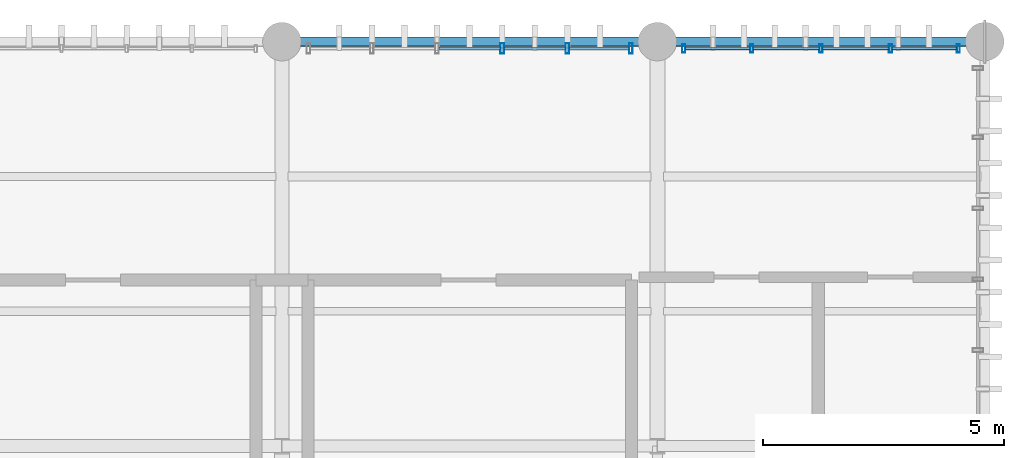
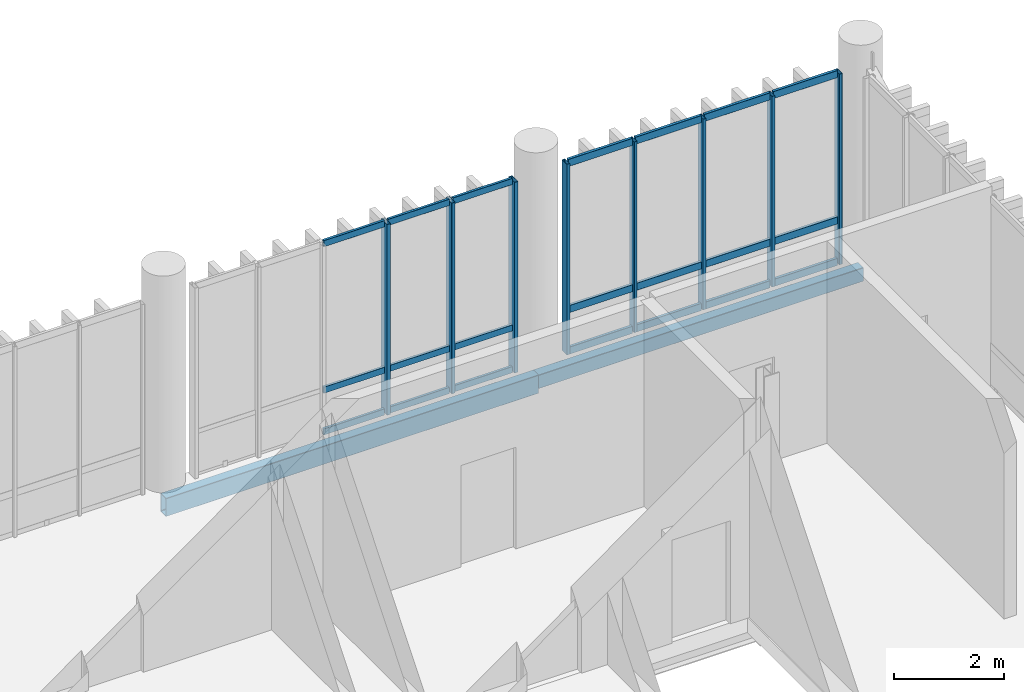
# One storey, part 65 of 94: 29 members, 2 beams, 2 elements without a shape of their own.
"""IFC4 building model written with IfcOpenShell, lengths in metres."""

from ifc_helpers import new_model, si_unit, direction, frame, origin_with_axes, origin_2d_with_axis, place, context, subcontext, project, spatial, hollow_rectangle, extrude, material, material_profile, profile_set, type_object, element, aggregate, save


model = new_model("IFC4")

# Units and contexts
model_context = context("Model", 3, precision=1e-05, world=origin_with_axes(), true_north=direction((0.0, 1.0)))
body_context = subcontext(model_context, "Body", "Model", "MODEL_VIEW")
ifc_project = project(units=[si_unit("LENGTHUNIT", "METRE"), si_unit("AREAUNIT", "SQUARE_METRE"), si_unit("VOLUMEUNIT", "CUBIC_METRE"), si_unit("PLANEANGLEUNIT", "RADIAN"), si_unit("MASSUNIT", "GRAM", prefix="KILO"), si_unit("THERMODYNAMICTEMPERATUREUNIT", "KELVIN")], contexts=[model_context])

# Site, building, storey
site_placement = place(None, origin_with_axes())
site = spatial("IfcSite", under=ifc_project, at=site_placement, CompositionType="ELEMENT")
building_placement = place(site_placement, origin_with_axes())
building = spatial("IfcBuilding", under=site, at=building_placement, Name="Montbau Bow Law Courts", CompositionType="ELEMENT")
storey_placement = place(building_placement, frame((0.0, 0.0, 15.6), z_axis=(0.0, 0.0, 1.0), x_axis=(1.0, 0.0, 0.0)))
storey = spatial("IfcBuildingStorey", under=building, at=storey_placement, Name="L03", CompositionType="ELEMENT", Elevation=15.6)

# Beams
ifc_material_1 = material(Name="Steel CSA G40.21 Grade 350WT (350 MPa)", Category="steel")
ifc_material_profile_1 = material_profile(ifc_material_1, hollow_rectangle(XDim=0.203, YDim=0.406, WallThickness=0.0127, InnerFilletRadius=0.0254, OuterFilletRadius=0.0127, at=origin_2d_with_axis()), Name="HSS406X203X13", Category="Main", Priority=0)
ifc_profile_set_1 = profile_set([ifc_material_profile_1], Name="Steel CSA G40.21 Grade 350WT (350 MPa)")
beam_type_1 = type_object("IfcBeamType", Name="B-SPN-01", PredefinedType="SPANDREL", material=ifc_profile_set_1)
beam_1_placement = place(None, frame((154.8, 103.2, 15.057), z_axis=(1.0, 0.0, 0.0), x_axis=(0.0, 1.0, 0.0)))
element("IfcBeam", 1, at=beam_1_placement, inside=storey, type_object=beam_type_1, Name="SPN-L03-S1223:bm2_1226", PredefinedType="SPANDREL", context=body_context, shape_type="SweptSolid", body=[
    extrude(hollow_rectangle(XDim=0.203, YDim=0.406, WallThickness=0.0127, InnerFilletRadius=0.0254, OuterFilletRadius=0.0127, at=origin_2d_with_axis()), origin_with_axes(), (0.0, 0.0, 1.0), 7.8),
])
ifc_material_profile_2 = material_profile(ifc_material_1, hollow_rectangle(XDim=0.203, YDim=0.305, WallThickness=0.0127, InnerFilletRadius=0.0254, OuterFilletRadius=0.0127, at=origin_2d_with_axis()), Name="HSS305X203X13", Category="Main", Priority=0)
ifc_profile_set_2 = profile_set([ifc_material_profile_2], Name="Steel CSA G40.21 Grade 350WT (350 MPa)")
beam_type_2 = type_object("IfcBeamType", Name="B-SPN-02", PredefinedType="SPANDREL", material=ifc_profile_set_2)
beam_2_placement = place(None, frame((162.6, 103.2, 15.107), z_axis=(1.0, 0.0, 0.0), x_axis=(0.0, 1.0, 0.0)))
element("IfcBeam", 2, at=beam_2_placement, inside=storey, type_object=beam_type_2, Name="SPN-L03-S1224:bm2_1227", PredefinedType="SPANDREL", context=body_context, shape_type="SweptSolid", body=[
    extrude(hollow_rectangle(XDim=0.203, YDim=0.305, WallThickness=0.0127, InnerFilletRadius=0.0254, OuterFilletRadius=0.0127, at=origin_2d_with_axis()), origin_with_axes(), (0.0, 0.0, 1.0), 6.8),
])

# Curtain wall, members
ifc_material_2 = material(Name="Thermally Broken Extruded Aluminium AA 6063-T6", Category="aluminium")
curtain_wall_type = type_object("IfcCurtainWallType", Name="CW-SLT-01", PredefinedType="NOTDEFINED", material=ifc_material_2)
curtain_wall_1_placement = place(None, frame((155.315, 103.06, 15.6), z_axis=(0.0, 0.0, 1.0), x_axis=(1.0, 0.0, 0.0)))
curtain_wall_1 = element("IfcCurtainWall", 3, at=curtain_wall_1_placement, inside=storey, type_object=curtain_wall_type, Name="CW-L03-315:cw_0315", PredefinedType="NOTDEFINED")
ifc_material_profile_3 = material_profile(ifc_material_2, hollow_rectangle(XDim=0.075, YDim=0.22, WallThickness=0.005, InnerFilletRadius=0.01, OuterFilletRadius=0.005, at=origin_2d_with_axis()), Name="CWM-220X75", Category="Main", Priority=0)
ifc_profile_set_3 = profile_set([ifc_material_profile_3], Name="Thermally Broken Extruded Aluminium AA 6063-T6")
member_type_1 = type_object("IfcMemberType", Name="M-MUL-01", PredefinedType="MULLION", material=ifc_profile_set_3)
member_1_placement = place(None, frame((159.377, 103.06, 15.6), z_axis=(0.0, 0.0, 1.0), x_axis=(1.0, 0.0, 0.0)))
member_1 = element("IfcMember", 4, at=member_1_placement, type_object=member_type_1, Name="CW-L03-315-M04:cw_0315_M04", PredefinedType="MULLION", context=body_context, shape_type="SweptSolid", body=[
    extrude(hollow_rectangle(XDim=0.075, YDim=0.22, WallThickness=0.005, InnerFilletRadius=0.01, OuterFilletRadius=0.005, at=origin_2d_with_axis()), origin_with_axes(), (0.0, 0.0, 1.0), 4.22),
])
member_2_placement = place(None, frame((160.731, 103.06, 15.6), z_axis=(0.0, 0.0, 1.0), x_axis=(1.0, 0.0, 0.0)))
member_2 = element("IfcMember", 5, at=member_2_placement, type_object=member_type_1, Name="CW-L03-315-M05:cw_0315_M05", PredefinedType="MULLION", context=body_context, shape_type="SweptSolid", body=[
    extrude(hollow_rectangle(XDim=0.075, YDim=0.22, WallThickness=0.005, InnerFilletRadius=0.01, OuterFilletRadius=0.005, at=origin_2d_with_axis()), origin_with_axes(), (0.0, 0.0, 1.0), 4.22),
])
member_3_placement = place(None, frame((162.048, 103.06, 15.6), z_axis=(0.0, 0.0, 1.0), x_axis=(1.0, 0.0, 0.0)))
member_3 = element("IfcMember", 6, at=member_3_placement, type_object=member_type_1, Name="CW-L03-315-M06:cw_0315_M06", PredefinedType="MULLION", context=body_context, shape_type="SweptSolid", body=[
    extrude(hollow_rectangle(XDim=0.075, YDim=0.22, WallThickness=0.005, InnerFilletRadius=0.01, OuterFilletRadius=0.005, at=origin_2d_with_axis()), origin_with_axes(), (0.0, 0.0, 1.0), 4.22),
])

curtain_wall_2_placement = place(None, frame((163.115, 103.06, 15.6), z_axis=(0.0, 0.0, 1.0), x_axis=(1.0, 0.0, 0.0)))
curtain_wall_2 = element("IfcCurtainWall", 7, at=curtain_wall_2_placement, inside=storey, type_object=curtain_wall_type, Name="CW-L03-316:cw_0316", PredefinedType="NOTDEFINED")
ifc_material_profile_4 = material_profile(ifc_material_2, hollow_rectangle(XDim=0.065, YDim=0.18, WallThickness=0.005, InnerFilletRadius=0.01, OuterFilletRadius=0.005, at=origin_2d_with_axis()), Name="CWM-180X65", Category="Main", Priority=0)
ifc_profile_set_4 = profile_set([ifc_material_profile_4], Name="Thermally Broken Extruded Aluminium AA 6063-T6")
member_type_2 = type_object("IfcMemberType", Name="M-MUL-02", PredefinedType="MULLION", material=ifc_profile_set_4)
member_4_placement = place(None, frame((163.148, 103.06, 15.6), z_axis=(0.0, 0.0, 1.0), x_axis=(1.0, 0.0, 0.0)))
member_4 = element("IfcMember", 8, at=member_4_placement, type_object=member_type_2, Name="CW-L03-316-M01:cw_0316_M01", PredefinedType="MULLION", context=body_context, shape_type="SweptSolid", body=[
    extrude(hollow_rectangle(XDim=0.065, YDim=0.18, WallThickness=0.005, InnerFilletRadius=0.01, OuterFilletRadius=0.005, at=origin_2d_with_axis()), origin_with_axes(), (0.0, 0.0, 1.0), 4.22),
])
member_5_placement = place(None, frame((164.557, 103.06, 15.6), z_axis=(0.0, 0.0, 1.0), x_axis=(1.0, 0.0, 0.0)))
member_5 = element("IfcMember", 9, at=member_5_placement, type_object=member_type_2, Name="CW-L03-316-M02:cw_0316_M02", PredefinedType="MULLION", context=body_context, shape_type="SweptSolid", body=[
    extrude(hollow_rectangle(XDim=0.065, YDim=0.18, WallThickness=0.005, InnerFilletRadius=0.01, OuterFilletRadius=0.005, at=origin_2d_with_axis()), origin_with_axes(), (0.0, 0.0, 1.0), 4.22),
])
member_6_placement = place(None, frame((166.0, 103.06, 15.6), z_axis=(0.0, 0.0, 1.0), x_axis=(1.0, 0.0, 0.0)))
member_6 = element("IfcMember", 10, at=member_6_placement, type_object=member_type_2, Name="CW-L03-316-M03:cw_0316_M03", PredefinedType="MULLION", context=body_context, shape_type="SweptSolid", body=[
    extrude(hollow_rectangle(XDim=0.065, YDim=0.18, WallThickness=0.005, InnerFilletRadius=0.01, OuterFilletRadius=0.005, at=origin_2d_with_axis()), origin_with_axes(), (0.0, 0.0, 1.0), 4.22),
])
member_7_placement = place(None, frame((167.442, 103.06, 15.6), z_axis=(0.0, 0.0, 1.0), x_axis=(1.0, 0.0, 0.0)))
member_7 = element("IfcMember", 11, at=member_7_placement, type_object=member_type_2, Name="CW-L03-316-M04:cw_0316_M04", PredefinedType="MULLION", context=body_context, shape_type="SweptSolid", body=[
    extrude(hollow_rectangle(XDim=0.065, YDim=0.18, WallThickness=0.005, InnerFilletRadius=0.01, OuterFilletRadius=0.005, at=origin_2d_with_axis()), origin_with_axes(), (0.0, 0.0, 1.0), 4.22),
])
member_8_placement = place(None, frame((168.852, 103.06, 15.6), z_axis=(0.0, 0.0, 1.0), x_axis=(1.0, 0.0, 0.0)))
member_8 = element("IfcMember", 12, at=member_8_placement, type_object=member_type_2, Name="CW-L03-316-M05:cw_0316_M05", PredefinedType="MULLION", context=body_context, shape_type="SweptSolid", body=[
    extrude(hollow_rectangle(XDim=0.065, YDim=0.18, WallThickness=0.005, InnerFilletRadius=0.01, OuterFilletRadius=0.005, at=origin_2d_with_axis()), origin_with_axes(), (0.0, 0.0, 1.0), 4.22),
])
ifc_material_profile_5 = material_profile(ifc_material_2, hollow_rectangle(XDim=0.06, YDim=0.16, WallThickness=0.004, InnerFilletRadius=0.008, OuterFilletRadius=0.004, at=origin_2d_with_axis()), Name="CWT-160X60", Category="Main", Priority=0)
ifc_profile_set_5 = profile_set([ifc_material_profile_5], Name="Thermally Broken Extruded Aluminium AA 6063-T6")
member_type_3 = type_object("IfcMemberType", Name="M-TRN-01", PredefinedType="USERDEFINED", material=ifc_profile_set_5)
member_9_placement = place(None, frame((163.183, 103.06, 15.63), z_axis=(1.0, 0.0, 0.0), x_axis=(0.0, 1.0, 0.0)))
member_9 = element("IfcMember", 13, at=member_9_placement, type_object=member_type_3, Name="CW-L03-316-T01-1:cw_0316_T01_1", ObjectType="TRANSOM", PredefinedType="USERDEFINED", context=body_context, shape_type="SweptSolid", body=[
    extrude(hollow_rectangle(XDim=0.06, YDim=0.16, WallThickness=0.004, InnerFilletRadius=0.008, OuterFilletRadius=0.004, at=origin_2d_with_axis()), origin_with_axes(), (0.0, 0.0, 1.0), 1.339),
])
member_10_placement = place(None, frame((163.183, 103.06, 16.55), z_axis=(1.0, 0.0, 0.0), x_axis=(0.0, 1.0, 0.0)))
member_10 = element("IfcMember", 14, at=member_10_placement, type_object=member_type_3, Name="CW-L03-316-T01-2:cw_0316_T01_2", ObjectType="TRANSOM", PredefinedType="USERDEFINED", context=body_context, shape_type="SweptSolid", body=[
    extrude(hollow_rectangle(XDim=0.06, YDim=0.16, WallThickness=0.004, InnerFilletRadius=0.008, OuterFilletRadius=0.004, at=origin_2d_with_axis()), origin_with_axes(), (0.0, 0.0, 1.0), 1.339),
])
member_11_placement = place(None, frame((163.183, 103.06, 19.79), z_axis=(1.0, 0.0, 0.0), x_axis=(0.0, 1.0, 0.0)))
member_11 = element("IfcMember", 15, at=member_11_placement, type_object=member_type_3, Name="CW-L03-316-T01-3:cw_0316_T01_3", ObjectType="TRANSOM", PredefinedType="USERDEFINED", context=body_context, shape_type="SweptSolid", body=[
    extrude(hollow_rectangle(XDim=0.06, YDim=0.16, WallThickness=0.004, InnerFilletRadius=0.008, OuterFilletRadius=0.004, at=origin_2d_with_axis()), origin_with_axes(), (0.0, 0.0, 1.0), 1.339),
])
member_12_placement = place(None, frame((164.591, 103.06, 15.63), z_axis=(1.0, 0.0, 0.0), x_axis=(0.0, 1.0, 0.0)))
member_12 = element("IfcMember", 16, at=member_12_placement, type_object=member_type_3, Name="CW-L03-316-T02-1:cw_0316_T02_1", ObjectType="TRANSOM", PredefinedType="USERDEFINED", context=body_context, shape_type="SweptSolid", body=[
    extrude(hollow_rectangle(XDim=0.06, YDim=0.16, WallThickness=0.004, InnerFilletRadius=0.008, OuterFilletRadius=0.004, at=origin_2d_with_axis()), origin_with_axes(), (0.0, 0.0, 1.0), 1.374),
])
member_13_placement = place(None, frame((164.591, 103.06, 16.55), z_axis=(1.0, 0.0, 0.0), x_axis=(0.0, 1.0, 0.0)))
member_13 = element("IfcMember", 17, at=member_13_placement, type_object=member_type_3, Name="CW-L03-316-T02-2:cw_0316_T02_2", ObjectType="TRANSOM", PredefinedType="USERDEFINED", context=body_context, shape_type="SweptSolid", body=[
    extrude(hollow_rectangle(XDim=0.06, YDim=0.16, WallThickness=0.004, InnerFilletRadius=0.008, OuterFilletRadius=0.004, at=origin_2d_with_axis()), origin_with_axes(), (0.0, 0.0, 1.0), 1.374),
])
member_14_placement = place(None, frame((164.591, 103.06, 19.79), z_axis=(1.0, 0.0, 0.0), x_axis=(0.0, 1.0, 0.0)))
member_14 = element("IfcMember", 18, at=member_14_placement, type_object=member_type_3, Name="CW-L03-316-T02-3:cw_0316_T02_3", ObjectType="TRANSOM", PredefinedType="USERDEFINED", context=body_context, shape_type="SweptSolid", body=[
    extrude(hollow_rectangle(XDim=0.06, YDim=0.16, WallThickness=0.004, InnerFilletRadius=0.008, OuterFilletRadius=0.004, at=origin_2d_with_axis()), origin_with_axes(), (0.0, 0.0, 1.0), 1.374),
])
member_15_placement = place(None, frame((166.034, 103.06, 15.63), z_axis=(1.0, 0.0, 0.0), x_axis=(0.0, 1.0, 0.0)))
member_15 = element("IfcMember", 19, at=member_15_placement, type_object=member_type_3, Name="CW-L03-316-T03-1:cw_0316_T03_1", ObjectType="TRANSOM", PredefinedType="USERDEFINED", context=body_context, shape_type="SweptSolid", body=[
    extrude(hollow_rectangle(XDim=0.06, YDim=0.16, WallThickness=0.004, InnerFilletRadius=0.008, OuterFilletRadius=0.004, at=origin_2d_with_axis()), origin_with_axes(), (0.0, 0.0, 1.0), 1.374),
])
member_16_placement = place(None, frame((166.034, 103.06, 16.55), z_axis=(1.0, 0.0, 0.0), x_axis=(0.0, 1.0, 0.0)))
member_16 = element("IfcMember", 20, at=member_16_placement, type_object=member_type_3, Name="CW-L03-316-T03-2:cw_0316_T03_2", ObjectType="TRANSOM", PredefinedType="USERDEFINED", context=body_context, shape_type="SweptSolid", body=[
    extrude(hollow_rectangle(XDim=0.06, YDim=0.16, WallThickness=0.004, InnerFilletRadius=0.008, OuterFilletRadius=0.004, at=origin_2d_with_axis()), origin_with_axes(), (0.0, 0.0, 1.0), 1.374),
])
member_17_placement = place(None, frame((166.034, 103.06, 19.79), z_axis=(1.0, 0.0, 0.0), x_axis=(0.0, 1.0, 0.0)))
member_17 = element("IfcMember", 21, at=member_17_placement, type_object=member_type_3, Name="CW-L03-316-T03-3:cw_0316_T03_3", ObjectType="TRANSOM", PredefinedType="USERDEFINED", context=body_context, shape_type="SweptSolid", body=[
    extrude(hollow_rectangle(XDim=0.06, YDim=0.16, WallThickness=0.004, InnerFilletRadius=0.008, OuterFilletRadius=0.004, at=origin_2d_with_axis()), origin_with_axes(), (0.0, 0.0, 1.0), 1.374),
])
member_18_placement = place(None, frame((167.476, 103.06, 15.63), z_axis=(1.0, 0.0, 0.0), x_axis=(0.0, 1.0, 0.0)))
member_18 = element("IfcMember", 22, at=member_18_placement, type_object=member_type_3, Name="CW-L03-316-T04-1:cw_0316_T04_1", ObjectType="TRANSOM", PredefinedType="USERDEFINED", context=body_context, shape_type="SweptSolid", body=[
    extrude(hollow_rectangle(XDim=0.06, YDim=0.16, WallThickness=0.004, InnerFilletRadius=0.008, OuterFilletRadius=0.004, at=origin_2d_with_axis()), origin_with_axes(), (0.0, 0.0, 1.0), 1.342),
])
member_19_placement = place(None, frame((167.476, 103.06, 16.55), z_axis=(1.0, 0.0, 0.0), x_axis=(0.0, 1.0, 0.0)))
member_19 = element("IfcMember", 23, at=member_19_placement, type_object=member_type_3, Name="CW-L03-316-T04-2:cw_0316_T04_2", ObjectType="TRANSOM", PredefinedType="USERDEFINED", context=body_context, shape_type="SweptSolid", body=[
    extrude(hollow_rectangle(XDim=0.06, YDim=0.16, WallThickness=0.004, InnerFilletRadius=0.008, OuterFilletRadius=0.004, at=origin_2d_with_axis()), origin_with_axes(), (0.0, 0.0, 1.0), 1.342),
])
member_20_placement = place(None, frame((167.476, 103.06, 19.79), z_axis=(1.0, 0.0, 0.0), x_axis=(0.0, 1.0, 0.0)))
member_20 = element("IfcMember", 24, at=member_20_placement, type_object=member_type_3, Name="CW-L03-316-T04-3:cw_0316_T04_3", ObjectType="TRANSOM", PredefinedType="USERDEFINED", context=body_context, shape_type="SweptSolid", body=[
    extrude(hollow_rectangle(XDim=0.06, YDim=0.16, WallThickness=0.004, InnerFilletRadius=0.008, OuterFilletRadius=0.004, at=origin_2d_with_axis()), origin_with_axes(), (0.0, 0.0, 1.0), 1.342),
])
aggregate(curtain_wall_2, [member_4, member_5, member_6, member_7, member_8, member_9, member_10, member_11, member_12, member_13, member_14, member_15, member_16, member_17, member_18, member_19, member_20])

# Member
ifc_material_profile_6 = material_profile(ifc_material_2, hollow_rectangle(XDim=0.055, YDim=0.14, WallThickness=0.004, InnerFilletRadius=0.008, OuterFilletRadius=0.004, at=origin_2d_with_axis()), Name="CWT-140X55", Category="Main", Priority=0)
ifc_profile_set_6 = profile_set([ifc_material_profile_6], Name="Thermally Broken Extruded Aluminium AA 6063-T6")
member_type_4 = type_object("IfcMemberType", Name="M-TRN-02", PredefinedType="USERDEFINED", material=ifc_profile_set_6)
member_21_placement = place(None, frame((158.063, 103.06, 15.627), z_axis=(1.0, 0.0, 0.0), x_axis=(0.0, 1.0, 0.0)))
member_21 = element("IfcMember", 25, at=member_21_placement, type_object=member_type_4, Name="CW-L03-315-T03-1:cw_0315_T03_1", ObjectType="TRANSOM", PredefinedType="USERDEFINED", context=body_context, shape_type="SweptSolid", body=[
    extrude(hollow_rectangle(XDim=0.055, YDim=0.14, WallThickness=0.004, InnerFilletRadius=0.008, OuterFilletRadius=0.004, at=origin_2d_with_axis()), origin_with_axes(), (0.0, 0.0, 1.0), 1.275),
])

member_22_placement = place(None, frame((158.063, 103.06, 16.55), z_axis=(1.0, 0.0, 0.0), x_axis=(0.0, 1.0, 0.0)))
member_22 = element("IfcMember", 26, at=member_22_placement, type_object=member_type_4, Name="CW-L03-315-T03-2:cw_0315_T03_2", ObjectType="TRANSOM", PredefinedType="USERDEFINED", context=body_context, shape_type="SweptSolid", body=[
    extrude(hollow_rectangle(XDim=0.055, YDim=0.14, WallThickness=0.004, InnerFilletRadius=0.008, OuterFilletRadius=0.004, at=origin_2d_with_axis()), origin_with_axes(), (0.0, 0.0, 1.0), 1.275),
])

member_23_placement = place(None, frame((158.063, 103.06, 19.793), z_axis=(1.0, 0.0, 0.0), x_axis=(0.0, 1.0, 0.0)))
member_23 = element("IfcMember", 27, at=member_23_placement, type_object=member_type_4, Name="CW-L03-315-T03-3:cw_0315_T03_3", ObjectType="TRANSOM", PredefinedType="USERDEFINED", context=body_context, shape_type="SweptSolid", body=[
    extrude(hollow_rectangle(XDim=0.055, YDim=0.14, WallThickness=0.004, InnerFilletRadius=0.008, OuterFilletRadius=0.004, at=origin_2d_with_axis()), origin_with_axes(), (0.0, 0.0, 1.0), 1.275),
])

member_24_placement = place(None, frame((159.416, 103.06, 15.627), z_axis=(1.0, 0.0, 0.0), x_axis=(0.0, 1.0, 0.0)))
member_24 = element("IfcMember", 28, at=member_24_placement, type_object=member_type_4, Name="CW-L03-315-T04-1:cw_0315_T04_1", ObjectType="TRANSOM", PredefinedType="USERDEFINED", context=body_context, shape_type="SweptSolid", body=[
    extrude(hollow_rectangle(XDim=0.055, YDim=0.14, WallThickness=0.004, InnerFilletRadius=0.008, OuterFilletRadius=0.004, at=origin_2d_with_axis()), origin_with_axes(), (0.0, 0.0, 1.0), 1.276),
])

member_25_placement = place(None, frame((159.416, 103.06, 16.55), z_axis=(1.0, 0.0, 0.0), x_axis=(0.0, 1.0, 0.0)))
member_25 = element("IfcMember", 29, at=member_25_placement, type_object=member_type_4, Name="CW-L03-315-T04-2:cw_0315_T04_2", ObjectType="TRANSOM", PredefinedType="USERDEFINED", context=body_context, shape_type="SweptSolid", body=[
    extrude(hollow_rectangle(XDim=0.055, YDim=0.14, WallThickness=0.004, InnerFilletRadius=0.008, OuterFilletRadius=0.004, at=origin_2d_with_axis()), origin_with_axes(), (0.0, 0.0, 1.0), 1.276),
])

member_26_placement = place(None, frame((159.416, 103.06, 19.793), z_axis=(1.0, 0.0, 0.0), x_axis=(0.0, 1.0, 0.0)))
member_26 = element("IfcMember", 30, at=member_26_placement, type_object=member_type_4, Name="CW-L03-315-T04-3:cw_0315_T04_3", ObjectType="TRANSOM", PredefinedType="USERDEFINED", context=body_context, shape_type="SweptSolid", body=[
    extrude(hollow_rectangle(XDim=0.055, YDim=0.14, WallThickness=0.004, InnerFilletRadius=0.008, OuterFilletRadius=0.004, at=origin_2d_with_axis()), origin_with_axes(), (0.0, 0.0, 1.0), 1.276),
])

member_27_placement = place(None, frame((160.77, 103.06, 15.627), z_axis=(1.0, 0.0, 0.0), x_axis=(0.0, 1.0, 0.0)))
member_27 = element("IfcMember", 31, at=member_27_placement, type_object=member_type_4, Name="CW-L03-315-T05-1:cw_0315_T05_1", ObjectType="TRANSOM", PredefinedType="USERDEFINED", context=body_context, shape_type="SweptSolid", body=[
    extrude(hollow_rectangle(XDim=0.055, YDim=0.14, WallThickness=0.004, InnerFilletRadius=0.008, OuterFilletRadius=0.004, at=origin_2d_with_axis()), origin_with_axes(), (0.0, 0.0, 1.0), 1.239),
])

member_28_placement = place(None, frame((160.77, 103.06, 16.55), z_axis=(1.0, 0.0, 0.0), x_axis=(0.0, 1.0, 0.0)))
member_28 = element("IfcMember", 32, at=member_28_placement, type_object=member_type_4, Name="CW-L03-315-T05-2:cw_0315_T05_2", ObjectType="TRANSOM", PredefinedType="USERDEFINED", context=body_context, shape_type="SweptSolid", body=[
    extrude(hollow_rectangle(XDim=0.055, YDim=0.14, WallThickness=0.004, InnerFilletRadius=0.008, OuterFilletRadius=0.004, at=origin_2d_with_axis()), origin_with_axes(), (0.0, 0.0, 1.0), 1.239),
])

member_29_placement = place(None, frame((160.77, 103.06, 19.793), z_axis=(1.0, 0.0, 0.0), x_axis=(0.0, 1.0, 0.0)))
member_29 = element("IfcMember", 33, at=member_29_placement, type_object=member_type_4, Name="CW-L03-315-T05-3:cw_0315_T05_3", ObjectType="TRANSOM", PredefinedType="USERDEFINED", context=body_context, shape_type="SweptSolid", body=[
    extrude(hollow_rectangle(XDim=0.055, YDim=0.14, WallThickness=0.004, InnerFilletRadius=0.008, OuterFilletRadius=0.004, at=origin_2d_with_axis()), origin_with_axes(), (0.0, 0.0, 1.0), 1.239),
])

aggregate(curtain_wall_1, [member_1, member_2, member_3, member_21, member_22, member_23, member_24, member_25, member_26, member_27, member_28, member_29])

save(model, "model.ifc")
